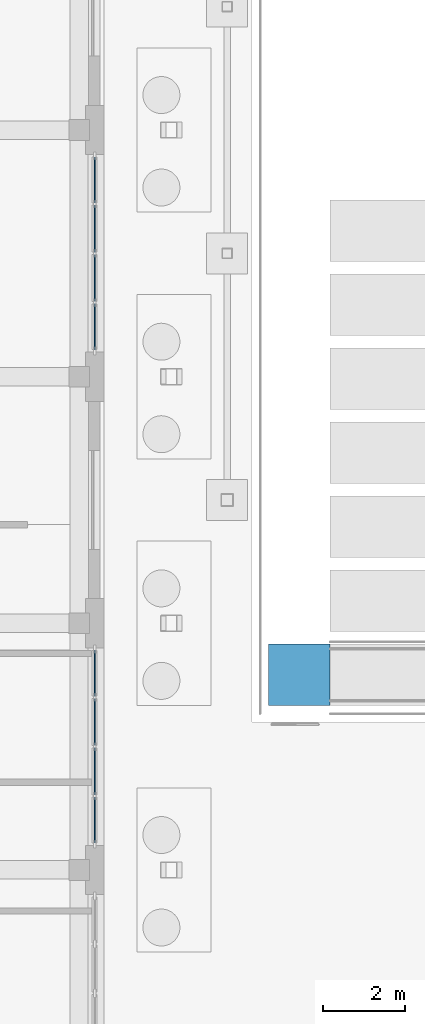
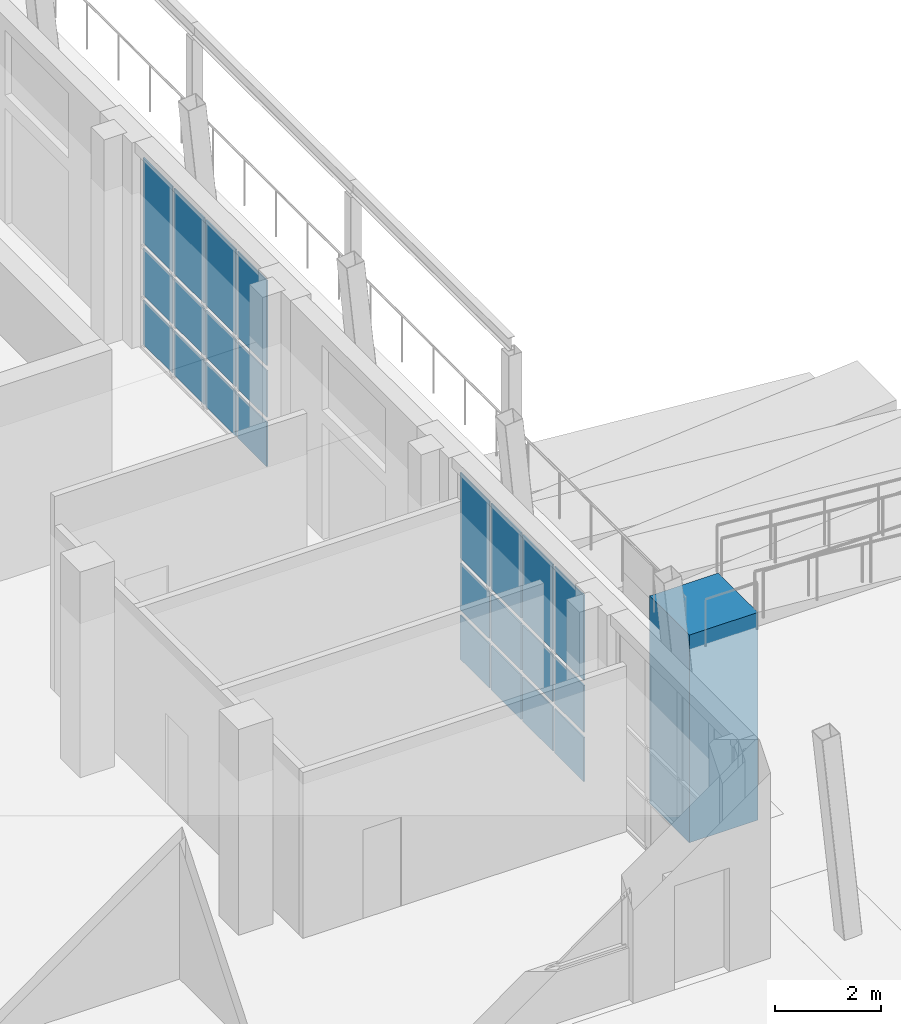
# One storey, part 87 of 144: 24 plates, 1 slab, 3 elements without a shape of their own.
"""IFC4 building model written with IfcOpenShell, lengths in metres."""

import ifcopenshell
import ifcopenshell.guid

model = None  # the IFC model being written
_history = None  # IfcOwnerHistory: only IFC2X3 demands one
_inside = {}  # id of a spatial element -> (the spatial element, [elements in it])
_under = {}  # id of a project, library or spatial element -> (it, [spatial elements below it])
_declared = {}  # id of a project -> (the project, [libraries it declares])
_typed = {}  # id of a type object -> (the type object, [elements of that type])
_made_of = {}  # id of a material, layer set ... -> (it, [elements and type objects made of it])


def new_model(schema):
    """Start an empty IFC model of exactly this schema.

    Asked for "IFC4X3", IfcOpenShell would pick the latest addendum, in which some entities
    have other attributes; the version numbers below select the first issue.
    IFC2X3 requires an IfcOwnerHistory on every rooted entity: one is made here for all.
    """
    global model, _history
    if schema == "IFC4X3":
        model = ifcopenshell.file(schema_version=(4, 3, 0, 0))
    else:
        model = ifcopenshell.file(schema=schema)
    _inside.clear()
    _under.clear()
    _declared.clear()
    _typed.clear()
    _made_of.clear()
    _history = None
    if model.schema == "IFC2X3":
        org = make("IfcOrganization", Name="unknown")
        user = make(
            "IfcPersonAndOrganization",
            ThePerson=make("IfcPerson", FamilyName="unknown"),
            TheOrganization=org,
        )
        app = make(
            "IfcApplication",
            ApplicationDeveloper=org,
            Version="unknown",
            ApplicationFullName="unknown",
            ApplicationIdentifier="unknown",
        )
        _history = make(
            "IfcOwnerHistory",
            OwningUser=user,
            OwningApplication=app,
            ChangeAction="ADDED",
            CreationDate=0,
        )
    return model


def make(cls, **values):
    """One entity of the class cls with the attributes given. An attribute that is None is left unset."""
    return model.create_entity(
        cls, **{name: value for name, value in values.items() if value is not None}
    )


def rooted(cls, **values):
    """An entity with a GlobalId (a new one), such as an element, a storey or a relation."""
    return make(cls, GlobalId=ifcopenshell.guid.new(), OwnerHistory=_history, **values)


def si_unit(unit_type, name, prefix=None):
    """IfcSIUnit, for example si_unit("LENGTHUNIT", "METRE", prefix="MILLI")."""
    return make("IfcSIUnit", UnitType=unit_type, Prefix=prefix, Name=name)


def assignment(units):
    """IfcUnitAssignment: the units of a project."""
    return None if units is None else make("IfcUnitAssignment", Units=units)


def point(xyz):
    """IfcCartesianPoint."""
    return None if xyz is None else make("IfcCartesianPoint", Coordinates=xyz)


def direction(xyz):
    """IfcDirection."""
    return None if xyz is None else make("IfcDirection", DirectionRatios=xyz)


def frame(location, z_axis=None, x_axis=None):
    """IfcAxis2Placement3D, a coordinate frame: its origin and axes. An axis left out is left unset."""
    return make(
        "IfcAxis2Placement3D",
        Location=point(location),
        Axis=direction(z_axis),
        RefDirection=direction(x_axis),
    )


def frame_2d(location, x_axis=None):
    """IfcAxis2Placement2D, a coordinate frame in the plane: its origin and x axis."""
    return make(
        "IfcAxis2Placement2D", Location=point(location), RefDirection=direction(x_axis)
    )


def origin():
    """The frame at (0, 0, 0) with its axes left unset."""
    return frame((0.0, 0.0, 0.0))


def origin_2d():
    """The frame at (0, 0) in the plane with its x axis left unset."""
    return frame_2d((0.0, 0.0))


def place(relative_to, where):
    """IfcLocalPlacement: puts the frame where relative to a parent placement (None: the world)."""
    return make(
        "IfcLocalPlacement", PlacementRelTo=relative_to, RelativePlacement=where
    )


def context(
    kind, dimensions, precision=None, world=None, true_north=None, identifier=None
):
    """IfcGeometricRepresentationContext, for example the 3D "Model" context."""
    return make(
        "IfcGeometricRepresentationContext",
        ContextIdentifier=identifier,
        ContextType=kind,
        CoordinateSpaceDimension=dimensions,
        Precision=precision,
        WorldCoordinateSystem=world,
        TrueNorth=true_north,
    )


def subcontext(parent, identifier, kind, view, scale=None):
    """IfcGeometricRepresentationSubContext, for example "Body" below "Model"."""
    return make(
        "IfcGeometricRepresentationSubContext",
        ContextIdentifier=identifier,
        ContextType=kind,
        ParentContext=parent,
        TargetScale=scale,
        TargetView=view,
    )


def project(units=None, contexts=None):
    """IfcProject with its units and contexts."""
    return rooted(
        "IfcProject",
        Name="project",
        RepresentationContexts=contexts,
        UnitsInContext=assignment(units),
    )


def spatial(cls, under=None, at=None, **own):
    """A site, building, storey or space (cls), placed at a placement, below another one or the project."""
    s = rooted(cls, ObjectPlacement=at, **own)
    if under is not None:
        _under.setdefault(under.id(), (under, []))[1].append(s)
    return s


def polyline(points):
    """IfcPolyline through the points."""
    return make("IfcPolyline", Points=[point(p) for p in points])


def profile(cls, at=None, kind="AREA", **sizes):
    """A parametric profile (cls). Its sizes go by their IFC names, for example OverallWidth=200.0."""
    return make(cls, ProfileType=kind, Position=at, **sizes)


def rectangle(**sizes):
    """IfcRectangleProfileDef."""
    return profile("IfcRectangleProfileDef", **sizes)


def outline(outer, holes=None, kind="AREA"):
    """IfcArbitraryClosedProfileDef: a profile drawn as a closed curve; with holes, ...WithVoids."""
    if holes is None:
        return make("IfcArbitraryClosedProfileDef", ProfileType=kind, OuterCurve=outer)
    return make(
        "IfcArbitraryProfileDefWithVoids",
        ProfileType=kind,
        OuterCurve=outer,
        InnerCurves=holes,
    )


def extrude(swept, where, along, depth):
    """IfcExtrudedAreaSolid: the profile swept, set in the frame where, extruded along a direction by depth."""
    return make(
        "IfcExtrudedAreaSolid",
        SweptArea=swept,
        Position=where,
        ExtrudedDirection=direction(along),
        Depth=depth,
    )


def shape(context_of_items, identifier, shape_type, items):
    """IfcShapeRepresentation: the items that make up one representation, for example the "Body"."""
    return make(
        "IfcShapeRepresentation",
        ContextOfItems=context_of_items,
        RepresentationIdentifier=identifier,
        RepresentationType=shape_type,
        Items=items,
    )


def material(Name=None, Category=None):
    """IfcMaterial."""
    return make("IfcMaterial", Name=Name, Category=Category)


def layer(
    of_material, thickness, ventilated=None, Name=None, Category=None, Priority=None
):
    """IfcMaterialLayer: one layer of a wall or slab, of a material (None: an air gap)."""
    return make(
        "IfcMaterialLayer",
        Material=of_material,
        LayerThickness=thickness,
        IsVentilated=ventilated,
        Name=Name,
        Category=Category,
        Priority=Priority,
    )


def layer_set(layers, Name=None):
    """IfcMaterialLayerSet."""
    return make("IfcMaterialLayerSet", MaterialLayers=layers, LayerSetName=Name)


def made_of(thing, what):
    """Note that an element or type object is made of a material, layer set ...; save() writes the relation."""
    if what is not None:
        _made_of.setdefault(what.id(), (what, []))[1].append(thing)
    return thing


def type_object(cls, material=None, **own):
    """A type object (cls), such as IfcWallType, which elements share."""
    return made_of(rooted(cls, **own), material)


def element(
    cls,
    number,
    at=None,
    inside=None,
    cuts=None,
    type_object=None,
    material=None,
    context=None,
    identifier="Body",
    shape_type=None,
    held_by="IfcProductDefinitionShape",
    body=None,
    shapes=None,
    **own,
):
    """One element of the class cls, such as IfcWall. Its Tag is "e" and its number.

    at: its placement. inside: the storey or other place that contains it. cuts: it is an
    opening in that element (IfcRelVoidsElement). A single representation is given by context,
    identifier, shape_type and body (its items); several are given by shapes. held_by: the class
    of the entity that holds the representations. save() writes the other relations.
    """
    e = rooted(cls, Tag="e%d" % number, ObjectPlacement=at, **own)
    if body is not None:
        shapes = [shape(context, identifier, shape_type, body)]
    if shapes is not None:
        e.Representation = make(held_by, Representations=shapes)
    if inside is not None:
        _inside.setdefault(inside.id(), (inside, []))[1].append(e)
    if cuts is not None:
        rooted(
            "IfcRelVoidsElement", RelatingBuildingElement=cuts, RelatedOpeningElement=e
        )
    if type_object is not None:
        _typed.setdefault(type_object.id(), (type_object, []))[1].append(e)
    return made_of(e, material)


def aggregate(whole, parts):
    """IfcRelAggregates: a whole, such as a stair, and the parts it consists of."""
    return rooted("IfcRelAggregates", RelatingObject=whole, RelatedObjects=parts)


def save(model, path):
    """Write the relations noted so far, then the file.

    IfcRelAggregates (storeys below a building ...), IfcRelContainedInSpatialStructure (elements
    in a storey), IfcRelDefinesByType, IfcRelAssociatesMaterial and IfcRelDeclares: one each for
    every whole, place, type object, material and project.
    """
    for whole, parts in _under.values():
        aggregate(whole, parts)
    for where, things in _inside.values():
        rooted(
            "IfcRelContainedInSpatialStructure",
            RelatedElements=things,
            RelatingStructure=where,
        )
    for kind, things in _typed.values():
        rooted("IfcRelDefinesByType", RelatedObjects=things, RelatingType=kind)
    for what, things in _made_of.values():
        rooted("IfcRelAssociatesMaterial", RelatedObjects=things, RelatingMaterial=what)
    for by, libraries in _declared.values():
        rooted("IfcRelDeclares", RelatingContext=by, RelatedDefinitions=libraries)
    model.write(path)


model = new_model("IFC4")

# Units and contexts
model_context = context("Model", 3, precision=1e-05, world=origin(), true_north=direction((0.0, 1.0)))
body_context = subcontext(model_context, "Body", "Model", "MODEL_VIEW")
ifc_project = project(units=[si_unit("LENGTHUNIT", "METRE"), si_unit("AREAUNIT", "SQUARE_METRE"), si_unit("VOLUMEUNIT", "CUBIC_METRE"), si_unit("PLANEANGLEUNIT", "RADIAN"), si_unit("MASSUNIT", "GRAM", prefix="KILO")], contexts=[model_context])

# Site, building, storey
site_placement = place(None, origin())
site = spatial("IfcSite", under=ifc_project, at=site_placement, CompositionType="ELEMENT")
building_placement = place(site_placement, origin())
building = spatial("IfcBuilding", under=site, at=building_placement, Name="Lantern Court Media Centre", CompositionType="ELEMENT")
storey_placement = place(building_placement, origin())
storey = spatial("IfcBuildingStorey", under=building, at=storey_placement, Name="L00", CompositionType="ELEMENT", Elevation=0.0)

# Ramp, slab
ramp_placement = place(storey_placement, origin())
ramp = element("IfcRamp", 1, at=ramp_placement, inside=storey, Name="Forecourt accessible ramp", PredefinedType="NOTDEFINED")
ifc_material_1 = material(Name="Concrete C35", Category="concrete")
ifc_layer_1 = layer(ifc_material_1, 0.25)
ifc_layer_set_1 = layer_set([ifc_layer_1], Name="Concrete C35")
slab_type = type_object("IfcSlabType", Name="Forecourt landing", PredefinedType="LANDING", material=ifc_layer_set_1)
slab_placement = place(storey_placement, frame((0.0, 0.0, -4.800048828125)))
slab = element("IfcSlab", 2, at=slab_placement, type_object=slab_type, Name="Ramp landing T0", PredefinedType="LANDING", context=body_context, shape_type="SweptSolid", body=[
    extrude(outline(polyline([(36.0, 8.0), (37.5, 8.0), (37.5, 9.5), (36.0, 9.5), (36.0, 8.0)])), origin(), (0.0, 0.0, 1.0), 4.800048828125),
])
aggregate(ramp, [slab])

# Curtain wall, plates
ifc_material_2 = material(Name="Aluminium and glass", Category="aluminium")
ifc_layer_2 = layer(ifc_material_2, 0.14990234375)
ifc_layer_set_2 = layer_set([ifc_layer_2], Name="Aluminium and glass")
curtain_wall_type = type_object("IfcCurtainWallType", Name="Hall lancet glazing", PredefinedType="NOTDEFINED", material=ifc_layer_set_2)
curtain_wall_1_placement = place(storey_placement, origin())
curtain_wall_1 = element("IfcCurtainWall", 3, at=curtain_wall_1_placement, inside=storey, type_object=curtain_wall_type, Name="Cinema Hall foyer glazing 2", PredefinedType="NOTDEFINED")
ifc_material_3 = material(Name="Laminated glass 6+6", Category="glass")
ifc_layer_3 = layer(ifc_material_3, 0.028076171875)
ifc_layer_set_3 = layer_set([ifc_layer_3], Name="Laminated glass 6+6")
plate_type = type_object("IfcPlateType", Name="HP", PredefinedType="CURTAIN_PANEL", material=ifc_layer_set_3)
plate_1_placement = place(storey_placement, frame((31.77490234375, 5.215087890625, 0.119873046875), z_axis=(0.0, 0.0, 1.0), x_axis=(0.0, 1.0, 0.0)))
plate_1 = element("IfcPlate", 4, at=plate_1_placement, type_object=plate_type, Name="HCW-V12 panel 1.1", PredefinedType="CURTAIN_PANEL", context=body_context, shape_type="SweptSolid", body=[
    extrude(rectangle(XDim=1.110107421875, YDim=0.028076171875, at=origin_2d()), origin(), (0.0, 0.0, 1.0), 1.02001953125),
])
plate_2_placement = place(storey_placement, frame((31.77490234375, 5.215087890625, 1.260009765625), z_axis=(0.0, 0.0, 1.0), x_axis=(0.0, 1.0, 0.0)))
plate_2 = element("IfcPlate", 5, at=plate_2_placement, type_object=plate_type, Name="HCW-V12 panel 1.2", PredefinedType="CURTAIN_PANEL", context=body_context, shape_type="SweptSolid", body=[
    extrude(rectangle(XDim=1.110107421875, YDim=0.028076171875, at=origin_2d()), origin(), (0.0, 0.0, 1.0), 1.080078125),
])
plate_3_placement = place(storey_placement, frame((31.77490234375, 5.215087890625, 2.4599609375), z_axis=(0.0, 0.0, 1.0), x_axis=(0.0, 1.0, 0.0)))
plate_3 = element("IfcPlate", 6, at=plate_3_placement, type_object=plate_type, Name="HCW-V12 panel 1.3", PredefinedType="CURTAIN_PANEL", context=body_context, shape_type="SweptSolid", body=[
    extrude(rectangle(XDim=1.110107421875, YDim=0.028076171875, at=origin_2d()), origin(), (0.0, 0.0, 1.0), 1.969970703125),
])
plate_4_placement = place(storey_placement, frame((31.77490234375, 6.39990234375, 0.119873046875), z_axis=(0.0, 0.0, 1.0), x_axis=(0.0, 1.0, 0.0)))
plate_4 = element("IfcPlate", 7, at=plate_4_placement, type_object=plate_type, Name="HCW-V12 panel 2.1", PredefinedType="CURTAIN_PANEL", context=body_context, shape_type="SweptSolid", body=[
    extrude(rectangle(XDim=1.139892578125, YDim=0.028076171875, at=origin_2d()), origin(), (0.0, 0.0, 1.0), 1.02001953125),
])
plate_5_placement = place(storey_placement, frame((31.77490234375, 6.39990234375, 1.260009765625), z_axis=(0.0, 0.0, 1.0), x_axis=(0.0, 1.0, 0.0)))
plate_5 = element("IfcPlate", 8, at=plate_5_placement, type_object=plate_type, Name="HCW-V12 panel 2.2", PredefinedType="CURTAIN_PANEL", context=body_context, shape_type="SweptSolid", body=[
    extrude(rectangle(XDim=1.139892578125, YDim=0.028076171875, at=origin_2d()), origin(), (0.0, 0.0, 1.0), 1.080078125),
])
plate_6_placement = place(storey_placement, frame((31.77490234375, 6.39990234375, 2.4599609375), z_axis=(0.0, 0.0, 1.0), x_axis=(0.0, 1.0, 0.0)))
plate_6 = element("IfcPlate", 9, at=plate_6_placement, type_object=plate_type, Name="HCW-V12 panel 2.3", PredefinedType="CURTAIN_PANEL", context=body_context, shape_type="SweptSolid", body=[
    extrude(rectangle(XDim=1.139892578125, YDim=0.028076171875, at=origin_2d()), origin(), (0.0, 0.0, 1.0), 1.969970703125),
])
plate_7_placement = place(storey_placement, frame((31.77490234375, 7.60009765625, 0.119873046875), z_axis=(0.0, 0.0, 1.0), x_axis=(0.0, 1.0, 0.0)))
plate_7 = element("IfcPlate", 10, at=plate_7_placement, type_object=plate_type, Name="HCW-V12 panel 3.1", PredefinedType="CURTAIN_PANEL", context=body_context, shape_type="SweptSolid", body=[
    extrude(rectangle(XDim=1.139892578125, YDim=0.028076171875, at=origin_2d()), origin(), (0.0, 0.0, 1.0), 1.02001953125),
])
plate_8_placement = place(storey_placement, frame((31.77490234375, 7.60009765625, 1.260009765625), z_axis=(0.0, 0.0, 1.0), x_axis=(0.0, 1.0, 0.0)))
plate_8 = element("IfcPlate", 11, at=plate_8_placement, type_object=plate_type, Name="HCW-V12 panel 3.2", PredefinedType="CURTAIN_PANEL", context=body_context, shape_type="SweptSolid", body=[
    extrude(rectangle(XDim=1.139892578125, YDim=0.028076171875, at=origin_2d()), origin(), (0.0, 0.0, 1.0), 1.080078125),
])
plate_9_placement = place(storey_placement, frame((31.77490234375, 7.60009765625, 2.4599609375), z_axis=(0.0, 0.0, 1.0), x_axis=(0.0, 1.0, 0.0)))
plate_9 = element("IfcPlate", 12, at=plate_9_placement, type_object=plate_type, Name="HCW-V12 panel 3.3", PredefinedType="CURTAIN_PANEL", context=body_context, shape_type="SweptSolid", body=[
    extrude(rectangle(XDim=1.139892578125, YDim=0.028076171875, at=origin_2d()), origin(), (0.0, 0.0, 1.0), 1.969970703125),
])
plate_10_placement = place(storey_placement, frame((31.77490234375, 8.784912109375, 0.119873046875), z_axis=(0.0, 0.0, 1.0), x_axis=(0.0, 1.0, 0.0)))
plate_10 = element("IfcPlate", 13, at=plate_10_placement, type_object=plate_type, Name="HCW-V12 panel 4.1", PredefinedType="CURTAIN_PANEL", context=body_context, shape_type="SweptSolid", body=[
    extrude(rectangle(XDim=1.110107421875, YDim=0.028076171875, at=origin_2d()), origin(), (0.0, 0.0, 1.0), 1.02001953125),
])
plate_11_placement = place(storey_placement, frame((31.77490234375, 8.784912109375, 1.260009765625), z_axis=(0.0, 0.0, 1.0), x_axis=(0.0, 1.0, 0.0)))
plate_11 = element("IfcPlate", 14, at=plate_11_placement, type_object=plate_type, Name="HCW-V12 panel 4.2", PredefinedType="CURTAIN_PANEL", context=body_context, shape_type="SweptSolid", body=[
    extrude(rectangle(XDim=1.110107421875, YDim=0.028076171875, at=origin_2d()), origin(), (0.0, 0.0, 1.0), 1.080078125),
])
plate_12_placement = place(storey_placement, frame((31.77490234375, 8.784912109375, 2.4599609375), z_axis=(0.0, 0.0, 1.0), x_axis=(0.0, 1.0, 0.0)))
plate_12 = element("IfcPlate", 15, at=plate_12_placement, type_object=plate_type, Name="HCW-V12 panel 4.3", PredefinedType="CURTAIN_PANEL", context=body_context, shape_type="SweptSolid", body=[
    extrude(rectangle(XDim=1.110107421875, YDim=0.028076171875, at=origin_2d()), origin(), (0.0, 0.0, 1.0), 1.969970703125),
])
aggregate(curtain_wall_1, [plate_1, plate_2, plate_3, plate_4, plate_5, plate_6, plate_7, plate_8, plate_9, plate_10, plate_11, plate_12])

curtain_wall_2_placement = place(storey_placement, origin())
curtain_wall_2 = element("IfcCurtainWall", 16, at=curtain_wall_2_placement, inside=storey, type_object=curtain_wall_type, Name="Cinema Hall foyer glazing 4", PredefinedType="NOTDEFINED")
plate_13_placement = place(storey_placement, frame((31.77490234375, 17.215087890625, 0.119873046875), z_axis=(0.0, 0.0, 1.0), x_axis=(0.0, 1.0, 0.0)))
plate_13 = element("IfcPlate", 17, at=plate_13_placement, type_object=plate_type, Name="HCW-V14 panel 1.1", PredefinedType="CURTAIN_PANEL", context=body_context, shape_type="SweptSolid", body=[
    extrude(rectangle(XDim=1.110107421875, YDim=0.028076171875, at=origin_2d()), origin(), (0.0, 0.0, 1.0), 1.02001953125),
])
plate_14_placement = place(storey_placement, frame((31.77490234375, 17.215087890625, 1.260009765625), z_axis=(0.0, 0.0, 1.0), x_axis=(0.0, 1.0, 0.0)))
plate_14 = element("IfcPlate", 18, at=plate_14_placement, type_object=plate_type, Name="HCW-V14 panel 1.2", PredefinedType="CURTAIN_PANEL", context=body_context, shape_type="SweptSolid", body=[
    extrude(rectangle(XDim=1.110107421875, YDim=0.028076171875, at=origin_2d()), origin(), (0.0, 0.0, 1.0), 1.080078125),
])
plate_15_placement = place(storey_placement, frame((31.77490234375, 17.215087890625, 2.4599609375), z_axis=(0.0, 0.0, 1.0), x_axis=(0.0, 1.0, 0.0)))
plate_15 = element("IfcPlate", 19, at=plate_15_placement, type_object=plate_type, Name="HCW-V14 panel 1.3", PredefinedType="CURTAIN_PANEL", context=body_context, shape_type="SweptSolid", body=[
    extrude(rectangle(XDim=1.110107421875, YDim=0.028076171875, at=origin_2d()), origin(), (0.0, 0.0, 1.0), 1.969970703125),
])
plate_16_placement = place(storey_placement, frame((31.77490234375, 18.39990234375, 0.119873046875), z_axis=(0.0, 0.0, 1.0), x_axis=(0.0, 1.0, 0.0)))
plate_16 = element("IfcPlate", 20, at=plate_16_placement, type_object=plate_type, Name="HCW-V14 panel 2.1", PredefinedType="CURTAIN_PANEL", context=body_context, shape_type="SweptSolid", body=[
    extrude(rectangle(XDim=1.139892578125, YDim=0.028076171875, at=origin_2d()), origin(), (0.0, 0.0, 1.0), 1.02001953125),
])
plate_17_placement = place(storey_placement, frame((31.77490234375, 18.39990234375, 1.260009765625), z_axis=(0.0, 0.0, 1.0), x_axis=(0.0, 1.0, 0.0)))
plate_17 = element("IfcPlate", 21, at=plate_17_placement, type_object=plate_type, Name="HCW-V14 panel 2.2", PredefinedType="CURTAIN_PANEL", context=body_context, shape_type="SweptSolid", body=[
    extrude(rectangle(XDim=1.139892578125, YDim=0.028076171875, at=origin_2d()), origin(), (0.0, 0.0, 1.0), 1.080078125),
])
plate_18_placement = place(storey_placement, frame((31.77490234375, 18.39990234375, 2.4599609375), z_axis=(0.0, 0.0, 1.0), x_axis=(0.0, 1.0, 0.0)))
plate_18 = element("IfcPlate", 22, at=plate_18_placement, type_object=plate_type, Name="HCW-V14 panel 2.3", PredefinedType="CURTAIN_PANEL", context=body_context, shape_type="SweptSolid", body=[
    extrude(rectangle(XDim=1.139892578125, YDim=0.028076171875, at=origin_2d()), origin(), (0.0, 0.0, 1.0), 1.969970703125),
])
plate_19_placement = place(storey_placement, frame((31.77490234375, 19.60009765625, 0.119873046875), z_axis=(0.0, 0.0, 1.0), x_axis=(0.0, 1.0, 0.0)))
plate_19 = element("IfcPlate", 23, at=plate_19_placement, type_object=plate_type, Name="HCW-V14 panel 3.1", PredefinedType="CURTAIN_PANEL", context=body_context, shape_type="SweptSolid", body=[
    extrude(rectangle(XDim=1.139892578125, YDim=0.028076171875, at=origin_2d()), origin(), (0.0, 0.0, 1.0), 1.02001953125),
])
plate_20_placement = place(storey_placement, frame((31.77490234375, 19.60009765625, 1.260009765625), z_axis=(0.0, 0.0, 1.0), x_axis=(0.0, 1.0, 0.0)))
plate_20 = element("IfcPlate", 24, at=plate_20_placement, type_object=plate_type, Name="HCW-V14 panel 3.2", PredefinedType="CURTAIN_PANEL", context=body_context, shape_type="SweptSolid", body=[
    extrude(rectangle(XDim=1.139892578125, YDim=0.028076171875, at=origin_2d()), origin(), (0.0, 0.0, 1.0), 1.080078125),
])
plate_21_placement = place(storey_placement, frame((31.77490234375, 19.60009765625, 2.4599609375), z_axis=(0.0, 0.0, 1.0), x_axis=(0.0, 1.0, 0.0)))
plate_21 = element("IfcPlate", 25, at=plate_21_placement, type_object=plate_type, Name="HCW-V14 panel 3.3", PredefinedType="CURTAIN_PANEL", context=body_context, shape_type="SweptSolid", body=[
    extrude(rectangle(XDim=1.139892578125, YDim=0.028076171875, at=origin_2d()), origin(), (0.0, 0.0, 1.0), 1.969970703125),
])
plate_22_placement = place(storey_placement, frame((31.77490234375, 20.784912109375, 0.119873046875), z_axis=(0.0, 0.0, 1.0), x_axis=(0.0, 1.0, 0.0)))
plate_22 = element("IfcPlate", 26, at=plate_22_placement, type_object=plate_type, Name="HCW-V14 panel 4.1", PredefinedType="CURTAIN_PANEL", context=body_context, shape_type="SweptSolid", body=[
    extrude(rectangle(XDim=1.110107421875, YDim=0.028076171875, at=origin_2d()), origin(), (0.0, 0.0, 1.0), 1.02001953125),
])
plate_23_placement = place(storey_placement, frame((31.77490234375, 20.784912109375, 1.260009765625), z_axis=(0.0, 0.0, 1.0), x_axis=(0.0, 1.0, 0.0)))
plate_23 = element("IfcPlate", 27, at=plate_23_placement, type_object=plate_type, Name="HCW-V14 panel 4.2", PredefinedType="CURTAIN_PANEL", context=body_context, shape_type="SweptSolid", body=[
    extrude(rectangle(XDim=1.110107421875, YDim=0.028076171875, at=origin_2d()), origin(), (0.0, 0.0, 1.0), 1.080078125),
])
plate_24_placement = place(storey_placement, frame((31.77490234375, 20.784912109375, 2.4599609375), z_axis=(0.0, 0.0, 1.0), x_axis=(0.0, 1.0, 0.0)))
plate_24 = element("IfcPlate", 28, at=plate_24_placement, type_object=plate_type, Name="HCW-V14 panel 4.3", PredefinedType="CURTAIN_PANEL", context=body_context, shape_type="SweptSolid", body=[
    extrude(rectangle(XDim=1.110107421875, YDim=0.028076171875, at=origin_2d()), origin(), (0.0, 0.0, 1.0), 1.969970703125),
])
aggregate(curtain_wall_2, [plate_13, plate_14, plate_15, plate_16, plate_17, plate_18, plate_19, plate_20, plate_21, plate_22, plate_23, plate_24])

save(model, "model.ifc")
